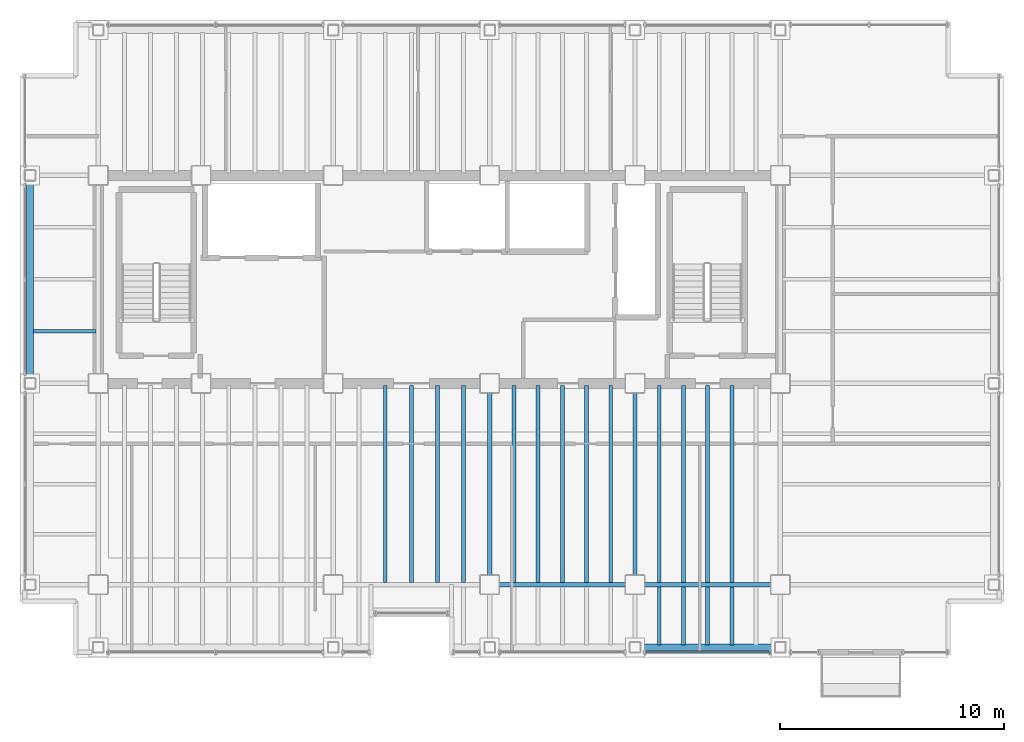
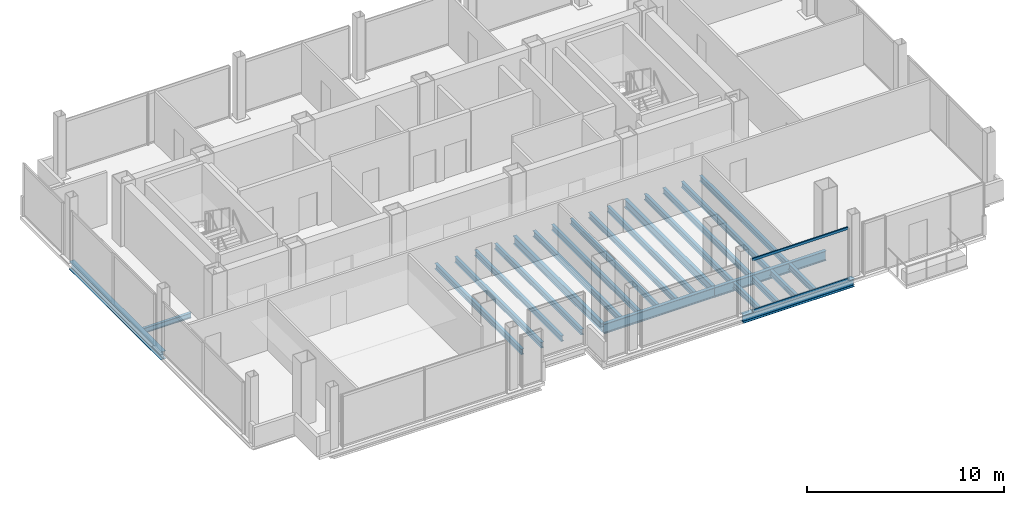
# One storey, part 5 of 16: 24 beams, 2 members, 1 element without a shape of its own.
"""IFC4 building model written with IfcOpenShell, lengths in metres."""

from ifc_helpers import new_model, si_unit, direction, frame, origin, origin_2d, place, context, subcontext, project, spatial, hollow_rectangle, i_section, extrude, material, material_profile, profile_set, type_object, element, aggregate, save


model = new_model("IFC4")

# Units and contexts
model_context = context("Model", 3, precision=1e-05, world=origin(), true_north=direction((0.0, 1.0)))
body_context = subcontext(model_context, "Body", "Model", "MODEL_VIEW")
ifc_project = project(units=[si_unit("LENGTHUNIT", "METRE"), si_unit("AREAUNIT", "SQUARE_METRE"), si_unit("VOLUMEUNIT", "CUBIC_METRE"), si_unit("PLANEANGLEUNIT", "RADIAN"), si_unit("MASSUNIT", "GRAM", prefix="KILO")], contexts=[model_context])

# Site, building, storey
site_placement = place(None, origin())
site = spatial("IfcSite", under=ifc_project, at=site_placement, CompositionType="ELEMENT")
building_placement = place(site_placement, origin())
building = spatial("IfcBuilding", under=site, at=building_placement, Name="Noeulbin Bourse Tower", CompositionType="ELEMENT")
storey_placement = place(building_placement, frame((0.0, 0.0, 185.10009765625)))
storey = spatial("IfcBuildingStorey", under=building, at=storey_placement, Name="L46", CompositionType="ELEMENT", Elevation=185.10009765625)

# Beams
ifc_material_1 = material(Name="Steel S355", Category="steel")
ifc_material_profile_1 = material_profile(ifc_material_1, i_section(OverallWidth=0.199951171875, OverallDepth=0.5, WebThickness=0.010009765625, FlangeThickness=0.01611328125, FilletRadius=0.02001953125, at=origin_2d()), Name="H-500x200x10x16", Category="LoadBearing")
ifc_profile_set_1 = profile_set([ifc_material_profile_1], Name="Steel S355")
beam_type_1 = type_object("IfcBeamType", Name="BM-GRD-500", PredefinedType="USERDEFINED", material=ifc_profile_set_1)
for number, where, z_axis, x_axis, name in (
    (1, (31.0, 20.0, -0.43017578125), (0.0, 1.0, 0.0), (-1.0, 0.0, 0.0), "Tower Primary Girder NS L46-3.2"),
    (2, (37.5, 20.0, -0.43017578125), (0.0, 1.0, 0.0), (-1.0, 0.0, 0.0), "Tower Primary Girder NS L46-4.2"),
):
    element("IfcBeam", number, at=place(storey_placement, frame(where, z_axis=z_axis, x_axis=x_axis)), inside=storey, type_object=beam_type_1, Name=name, ObjectType="GIRDER", PredefinedType="USERDEFINED", context=body_context, shape_type="SweptSolid", body=[
        extrude(i_section(OverallWidth=0.199951171875, OverallDepth=0.5, WebThickness=0.010009765625, FlangeThickness=0.01611328125, FilletRadius=0.02001953125, at=origin_2d()), origin(), (0.0, 0.0, 1.0), 9.0),
    ])
ifc_material_profile_2 = material_profile(ifc_material_1, i_section(OverallWidth=0.199951171875, OverallDepth=0.60009765625, WebThickness=0.010986328125, FlangeThickness=0.01708984375, FilletRadius=0.02197265625, at=origin_2d()), Name="H-600x200x11x17", Category="LoadBearing")
ifc_profile_set_2 = profile_set([ifc_material_profile_2], Name="Steel S355")
beam_type_2 = type_object("IfcBeamType", Name="BM-GRD-600", PredefinedType="USERDEFINED", material=ifc_profile_set_2)
for number, where, z_axis, x_axis, name in (
    (3, (31.0, 20.0, -0.47998046875), (1.0, 0.0, 0.0), (0.0, 1.0, 0.0), "Tower Primary Girder EW L46-1.4"),
    (4, (37.5, 20.0, -0.47998046875), (1.0, 0.0, 0.0), (0.0, 1.0, 0.0), "Tower Primary Girder EW L46-1.5"),
):
    element("IfcBeam", number, at=place(storey_placement, frame(where, z_axis=z_axis, x_axis=x_axis)), inside=storey, type_object=beam_type_2, Name=name, ObjectType="GIRDER", PredefinedType="USERDEFINED", context=body_context, shape_type="SweptSolid", body=[
        extrude(i_section(OverallWidth=0.199951171875, OverallDepth=0.60009765625, WebThickness=0.010986328125, FlangeThickness=0.01708984375, FilletRadius=0.02197265625, at=origin_2d()), origin(), (0.0, 0.0, 1.0), 6.5),
    ])
ifc_material_profile_3 = material_profile(ifc_material_1, i_section(OverallWidth=0.159912109375, OverallDepth=0.320068359375, WebThickness=0.006591796875, FlangeThickness=0.010009765625, FilletRadius=0.012939453125, at=origin_2d()), Name="H-320x160x6.5x10", Category="LoadBearing")
ifc_profile_set_3 = profile_set([ifc_material_profile_3], Name="Steel S355")
beam_type_3 = type_object("IfcBeamType", Name="BM-JST-320", PredefinedType="JOIST", material=ifc_profile_set_3)
beam_1_placement = place(storey_placement, frame((10.60009765625, 31.324951171875, -0.340087890625), z_axis=(1.0, 0.0, 0.0), x_axis=(0.0, 1.0, 0.0)))
element("IfcBeam", 5, at=beam_1_placement, inside=storey, type_object=beam_type_3, Name="Wing Composite Joist L46-W70", PredefinedType="JOIST", context=body_context, shape_type="SweptSolid", body=[
    extrude(i_section(OverallWidth=0.159912109375, OverallDepth=0.320068359375, WebThickness=0.006591796875, FlangeThickness=0.010009765625, FilletRadius=0.012939453125, at=origin_2d()), origin(), (0.0, 0.0, 1.0), 2.7998046875),
])
ifc_material_profile_4 = material_profile(ifc_material_1, i_section(OverallWidth=0.175048828125, OverallDepth=0.35009765625, WebThickness=0.007080078125, FlangeThickness=0.010986328125, FilletRadius=0.013916015625, at=origin_2d()), Name="H-350x175x7x11", Category="LoadBearing")
ifc_profile_set_4 = profile_set([ifc_material_profile_4], Name="Steel S355")
beam_type_4 = type_object("IfcBeamType", Name="BM-JST-350", PredefinedType="JOIST", material=ifc_profile_set_4)
for number, where, z_axis, x_axis, name in (
    (6, (26.333251953125, 20.10009765625, -0.35498046875), (0.0, 1.0, 0.0), (-1.0, 0.0, 0.0), "Tower Composite Joist L46-28"),
    (7, (27.5, 20.10009765625, -0.35498046875), (0.0, 1.0, 0.0), (-1.0, 0.0, 0.0), "Tower Composite Joist L46-30"),
    (8, (28.666748046875, 20.10009765625, -0.35498046875), (0.0, 1.0, 0.0), (-1.0, 0.0, 0.0), "Tower Composite Joist L46-32"),
    (9, (29.833251953125, 20.10009765625, -0.35498046875), (0.0, 1.0, 0.0), (-1.0, 0.0, 0.0), "Tower Composite Joist L46-35"),
    (10, (32.083251953125, 20.10009765625, -0.35498046875), (0.0, 1.0, 0.0), (-1.0, 0.0, 0.0), "Tower Composite Joist L46-38"),
    (11, (33.166748046875, 20.10009765625, -0.35498046875), (0.0, 1.0, 0.0), (-1.0, 0.0, 0.0), "Tower Composite Joist L46-41"),
    (12, (34.25, 20.10009765625, -0.35498046875), (0.0, 1.0, 0.0), (-1.0, 0.0, 0.0), "Tower Composite Joist L46-44"),
    (13, (35.333251953125, 20.10009765625, -0.35498046875), (0.0, 1.0, 0.0), (-1.0, 0.0, 0.0), "Tower Composite Joist L46-47"),
    (14, (36.416748046875, 20.10009765625, -0.35498046875), (0.0, 1.0, 0.0), (-1.0, 0.0, 0.0), "Tower Composite Joist L46-50"),
):
    element("IfcBeam", number, at=place(storey_placement, frame(where, z_axis=z_axis, x_axis=x_axis)), inside=storey, type_object=beam_type_4, Name=name, PredefinedType="JOIST", context=body_context, shape_type="SweptSolid", body=[
        extrude(i_section(OverallWidth=0.175048828125, OverallDepth=0.35009765625, WebThickness=0.007080078125, FlangeThickness=0.010986328125, FilletRadius=0.013916015625, at=origin_2d()), origin(), (0.0, 0.0, 1.0), 8.7998046875),
    ])
beam_2_placement = place(storey_placement, frame((38.583251953125, 17.300048828125, -0.35498046875), z_axis=(0.0, 1.0, 0.0), x_axis=(-1.0, 0.0, 0.0)))
element("IfcBeam", 15, at=beam_2_placement, inside=storey, type_object=beam_type_4, Name="Tower Composite Joist L46-52", PredefinedType="JOIST", context=body_context, shape_type="SweptSolid", body=[
    extrude(i_section(OverallWidth=0.175048828125, OverallDepth=0.35009765625, WebThickness=0.007080078125, FlangeThickness=0.010986328125, FilletRadius=0.013916015625, at=origin_2d()), origin(), (0.0, 0.0, 1.0), 2.599853515625),
])
beam_3_placement = place(storey_placement, frame((38.583251953125, 20.10009765625, -0.35498046875), z_axis=(0.0, 1.0, 0.0), x_axis=(-1.0, 0.0, 0.0)))
element("IfcBeam", 16, at=beam_3_placement, inside=storey, type_object=beam_type_4, Name="Tower Composite Joist L46-53", PredefinedType="JOIST", context=body_context, shape_type="SweptSolid", body=[
    extrude(i_section(OverallWidth=0.175048828125, OverallDepth=0.35009765625, WebThickness=0.007080078125, FlangeThickness=0.010986328125, FilletRadius=0.013916015625, at=origin_2d()), origin(), (0.0, 0.0, 1.0), 8.7998046875),
])
beam_4_placement = place(storey_placement, frame((39.666748046875, 17.300048828125, -0.35498046875), z_axis=(0.0, 1.0, 0.0), x_axis=(-1.0, 0.0, 0.0)))
element("IfcBeam", 17, at=beam_4_placement, inside=storey, type_object=beam_type_4, Name="Tower Composite Joist L46-55", PredefinedType="JOIST", context=body_context, shape_type="SweptSolid", body=[
    extrude(i_section(OverallWidth=0.175048828125, OverallDepth=0.35009765625, WebThickness=0.007080078125, FlangeThickness=0.010986328125, FilletRadius=0.013916015625, at=origin_2d()), origin(), (0.0, 0.0, 1.0), 2.599853515625),
])
beam_5_placement = place(storey_placement, frame((39.666748046875, 20.10009765625, -0.35498046875), z_axis=(0.0, 1.0, 0.0), x_axis=(-1.0, 0.0, 0.0)))
element("IfcBeam", 18, at=beam_5_placement, inside=storey, type_object=beam_type_4, Name="Tower Composite Joist L46-56", PredefinedType="JOIST", context=body_context, shape_type="SweptSolid", body=[
    extrude(i_section(OverallWidth=0.175048828125, OverallDepth=0.35009765625, WebThickness=0.007080078125, FlangeThickness=0.010986328125, FilletRadius=0.013916015625, at=origin_2d()), origin(), (0.0, 0.0, 1.0), 8.7998046875),
])
beam_6_placement = place(storey_placement, frame((40.75, 17.300048828125, -0.35498046875), z_axis=(0.0, 1.0, 0.0), x_axis=(-1.0, 0.0, 0.0)))
element("IfcBeam", 19, at=beam_6_placement, inside=storey, type_object=beam_type_4, Name="Tower Composite Joist L46-58", PredefinedType="JOIST", context=body_context, shape_type="SweptSolid", body=[
    extrude(i_section(OverallWidth=0.175048828125, OverallDepth=0.35009765625, WebThickness=0.007080078125, FlangeThickness=0.010986328125, FilletRadius=0.013916015625, at=origin_2d()), origin(), (0.0, 0.0, 1.0), 2.599853515625),
])
beam_7_placement = place(storey_placement, frame((40.75, 20.10009765625, -0.35498046875), z_axis=(0.0, 1.0, 0.0), x_axis=(-1.0, 0.0, 0.0)))
element("IfcBeam", 20, at=beam_7_placement, inside=storey, type_object=beam_type_4, Name="Tower Composite Joist L46-59", PredefinedType="JOIST", context=body_context, shape_type="SweptSolid", body=[
    extrude(i_section(OverallWidth=0.175048828125, OverallDepth=0.35009765625, WebThickness=0.007080078125, FlangeThickness=0.010986328125, FilletRadius=0.013916015625, at=origin_2d()), origin(), (0.0, 0.0, 1.0), 8.7998046875),
])
beam_8_placement = place(storey_placement, frame((41.833251953125, 17.300048828125, -0.35498046875), z_axis=(0.0, 1.0, 0.0), x_axis=(-1.0, 0.0, 0.0)))
element("IfcBeam", 21, at=beam_8_placement, inside=storey, type_object=beam_type_4, Name="Tower Composite Joist L46-61", PredefinedType="JOIST", context=body_context, shape_type="SweptSolid", body=[
    extrude(i_section(OverallWidth=0.175048828125, OverallDepth=0.35009765625, WebThickness=0.007080078125, FlangeThickness=0.010986328125, FilletRadius=0.013916015625, at=origin_2d()), origin(), (0.0, 0.0, 1.0), 2.599853515625),
])
beam_9_placement = place(storey_placement, frame((41.833251953125, 20.10009765625, -0.35498046875), z_axis=(0.0, 1.0, 0.0), x_axis=(-1.0, 0.0, 0.0)))
element("IfcBeam", 22, at=beam_9_placement, inside=storey, type_object=beam_type_4, Name="Tower Composite Joist L46-62", PredefinedType="JOIST", context=body_context, shape_type="SweptSolid", body=[
    extrude(i_section(OverallWidth=0.175048828125, OverallDepth=0.35009765625, WebThickness=0.007080078125, FlangeThickness=0.010986328125, FilletRadius=0.013916015625, at=origin_2d()), origin(), (0.0, 0.0, 1.0), 8.7998046875),
])
ifc_material_profile_5 = material_profile(ifc_material_1, i_section(OverallWidth=0.300048828125, OverallDepth=0.488037109375, WebThickness=0.010986328125, FlangeThickness=0.01806640625, FilletRadius=0.02197265625, at=origin_2d()), Name="H-488x300x11x18", Category="LoadBearing")
ifc_profile_set_5 = profile_set([ifc_material_profile_5], Name="Steel S355")
beam_type_5 = type_object("IfcBeamType", Name="BM-SPN-488", PredefinedType="SPANDREL", material=ifc_profile_set_5)
beam_10_placement = place(storey_placement, frame((37.5, 17.199951171875, -0.424072265625), z_axis=(1.0, 0.0, 0.0), x_axis=(0.0, 1.0, 0.0)))
element("IfcBeam", 23, at=beam_10_placement, inside=storey, type_object=beam_type_5, Name="South Spandrel L46-4", PredefinedType="SPANDREL", context=body_context, shape_type="SweptSolid", body=[
    extrude(i_section(OverallWidth=0.300048828125, OverallDepth=0.488037109375, WebThickness=0.010986328125, FlangeThickness=0.01806640625, FilletRadius=0.02197265625, at=origin_2d()), origin(), (0.0, 0.0, 1.0), 6.5),
])
beam_11_placement = place(storey_placement, frame((10.449951171875, 29.0, -0.424072265625), z_axis=(0.0, 1.0, 0.0), x_axis=(-1.0, 0.0, 0.0)))
element("IfcBeam", 24, at=beam_11_placement, inside=storey, type_object=beam_type_5, Name="West Spandrel L46-2", PredefinedType="SPANDREL", context=body_context, shape_type="SweptSolid", body=[
    extrude(i_section(OverallWidth=0.300048828125, OverallDepth=0.488037109375, WebThickness=0.010986328125, FlangeThickness=0.01806640625, FilletRadius=0.02197265625, at=origin_2d()), origin(), (0.0, 0.0, 1.0), 9.300048828125),
])

# Curtain wall, members
ifc_material_2 = material(Name="Dark Tinted Triple Glazing", Category="glass")
curtain_wall_type = type_object("IfcCurtainWallType", Name="CW-SYS-3", PredefinedType="NOTDEFINED", material=ifc_material_2)
curtain_wall_placement = place(storey_placement, origin())
curtain_wall = element("IfcCurtainWall", 25, at=curtain_wall_placement, inside=storey, type_object=curtain_wall_type, Name="Unitised Curtain Wall CW-L46-S2-S3", PredefinedType="NOTDEFINED")
ifc_material_3 = material(Name="Anodised Aluminium 6063-T6", Category="aluminium")
ifc_material_profile_6 = material_profile(ifc_material_3, hollow_rectangle(XDim=0.074951171875, YDim=0.159912109375, WallThickness=0.0048828125, InnerFilletRadius=0.00244140625, OuterFilletRadius=0.0048828125, at=origin_2d()), Name="ALU-TRAN-75x160x5", Category="LoadBearing")
ifc_profile_set_6 = profile_set([ifc_material_profile_6], Name="Anodised Aluminium 6063-T6")
member_type = type_object("IfcMemberType", Name="CW-SYS-3-TRN", PredefinedType="USERDEFINED", material=ifc_profile_set_6)
member_1_placement = place(storey_placement, frame((37.9599609375, 16.969970703125, 0.010009765625), z_axis=(1.0, 0.0, 0.0), x_axis=(0.0, 1.0, 0.0)))
member_1 = element("IfcMember", 26, at=member_1_placement, type_object=member_type, Name="Curtain Wall Transom CW-L46-S2-S3-T00", ObjectType="TRANSOM", PredefinedType="USERDEFINED", context=body_context, shape_type="SweptSolid", body=[
    extrude(hollow_rectangle(XDim=0.074951171875, YDim=0.159912109375, WallThickness=0.0048828125, InnerFilletRadius=0.00244140625, OuterFilletRadius=0.0048828125, at=origin_2d()), origin(), (0.0, 0.0, 1.0), 5.580078125),
])
member_2_placement = place(storey_placement, frame((37.9599609375, 16.969970703125, 3.169921875), z_axis=(1.0, 0.0, 0.0), x_axis=(0.0, 1.0, 0.0)))
member_2 = element("IfcMember", 27, at=member_2_placement, type_object=member_type, Name="Curtain Wall Transom CW-L46-S2-S3-T01", ObjectType="TRANSOM", PredefinedType="USERDEFINED", context=body_context, shape_type="SweptSolid", body=[
    extrude(hollow_rectangle(XDim=0.074951171875, YDim=0.159912109375, WallThickness=0.0048828125, InnerFilletRadius=0.00244140625, OuterFilletRadius=0.0048828125, at=origin_2d()), origin(), (0.0, 0.0, 1.0), 5.580078125),
])
aggregate(curtain_wall, [member_1, member_2])

save(model, "model.ifc")
